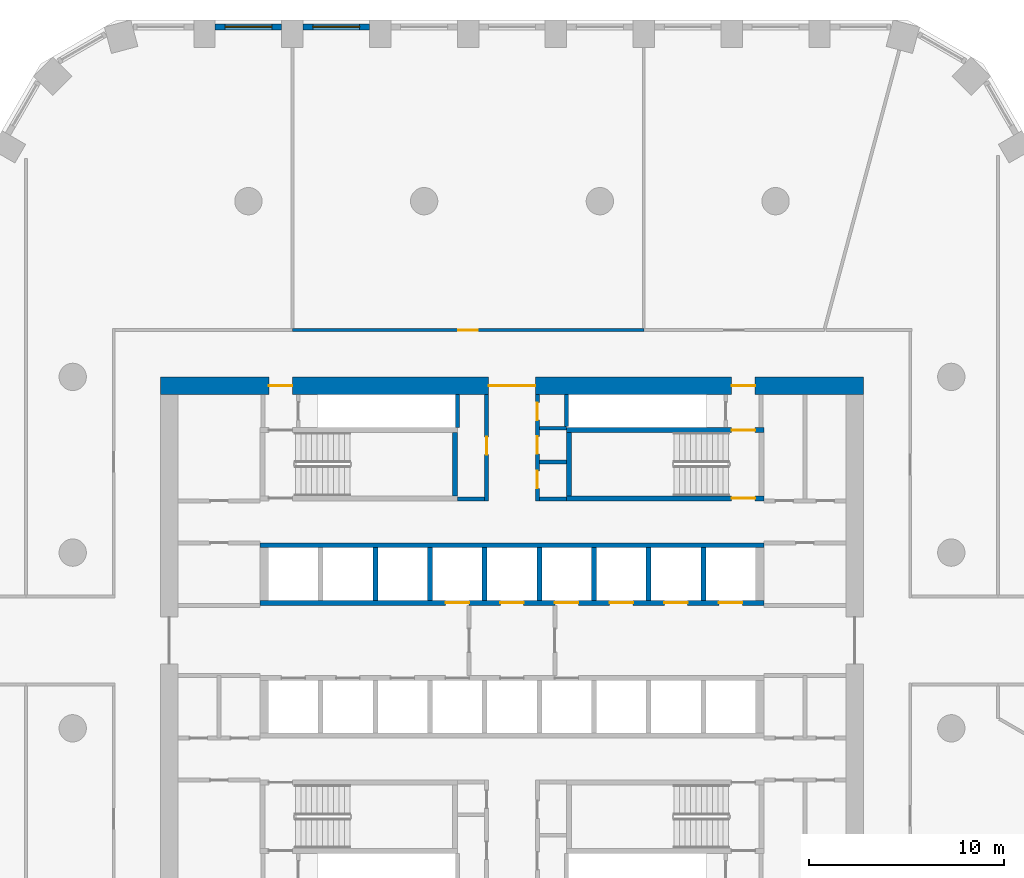
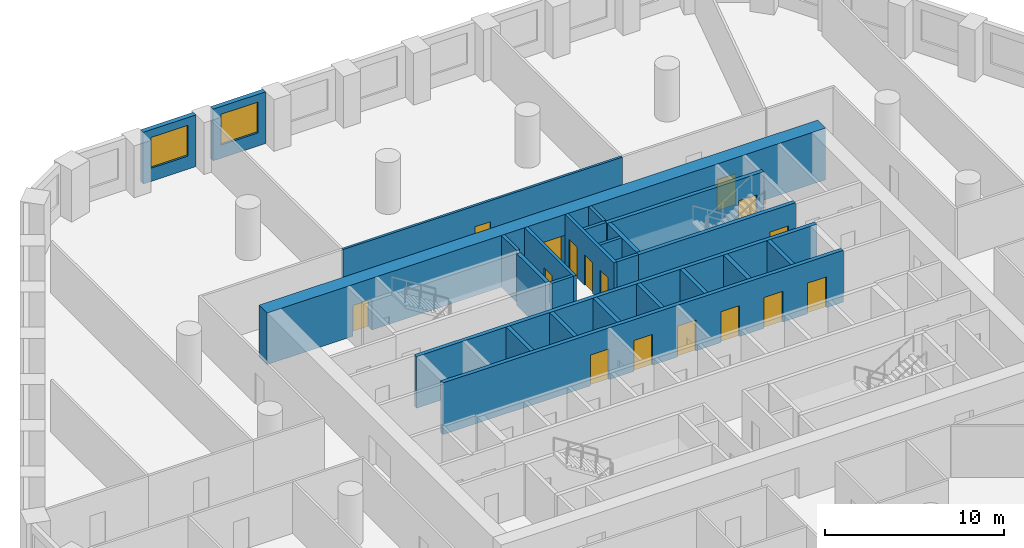
# One storey, part 6 of 10: 25 walls, 16 doors, 2 windows, 18 openings.
"""IFC4 building model written with IfcOpenShell, lengths in metres."""

from ifc_helpers import new_model, si_unit, direction, frame, frame_2d, origin, place, context, subcontext, project, spatial, polyline, rectangle, outline, extrude, material, layer, layer_set, type_object, element, fill, save


model = new_model("IFC4")

# Units and contexts
model_context = context("Model", 3, precision=1e-05, world=origin(), true_north=direction((0.0, 1.0)))
body_context = subcontext(model_context, "Body", "Model", "MODEL_VIEW")
ifc_project = project(units=[si_unit("LENGTHUNIT", "METRE"), si_unit("AREAUNIT", "SQUARE_METRE"), si_unit("VOLUMEUNIT", "CUBIC_METRE"), si_unit("PLANEANGLEUNIT", "RADIAN"), si_unit("MASSUNIT", "GRAM", prefix="KILO")], contexts=[model_context])

# Site, building, storey
site_placement = place(None, origin())
site = spatial("IfcSite", under=ifc_project, at=site_placement, CompositionType="ELEMENT")
building_placement = place(site_placement, origin())
building = spatial("IfcBuilding", under=site, at=building_placement, Name="Dhurran Vertical Campus", CompositionType="ELEMENT")
storey_placement = place(building_placement, frame((0.0, 0.0, 65.10009765625)))
storey = spatial("IfcBuildingStorey", under=building, at=storey_placement, Name="L15", CompositionType="ELEMENT", Elevation=65.10009765625)

# Wall, opening, window
ifc_material_1 = material(Name="Precast concrete C50/60", Category="concrete")
ifc_layer_1 = layer(ifc_material_1, 0.300048828125)
ifc_layer_set_1 = layer_set([ifc_layer_1], Name="Precast concrete C50/60")
wall_type_1 = type_object("IfcWallType", Name="Precast spandrel wall 300", PredefinedType="SOLIDWALL", material=ifc_layer_set_1)
wall_1_placement = place(storey_placement, frame((-7.300537109375, 31.4296875, 0.0), z_axis=(0.0, 0.0, 1.0), x_axis=(-1.0, 0.0, 0.0)))
wall_1 = element("IfcWall", 1, at=wall_1_placement, inside=storey, type_object=wall_type_1, Name="EW1 L15.32", PredefinedType="SOLIDWALL", context=body_context, shape_type="SweptSolid", body=[
    extrude(rectangle(XDim=3.39892578125, YDim=0.300048828125, at=frame_2d((1.699462890625, 0.0))), origin(), (0.0, 0.0, 1.0), 3.52490234375),
])
opening_1_placement = place(wall_1_placement, frame((0.49951171875, 0.0, 0.89990234375)))
opening_1 = element("IfcOpeningElement", 2, at=opening_1_placement, cuts=wall_1, Name="Opening WT1", PredefinedType="OPENING", context=body_context, shape_type="SweptSolid", body=[
    extrude(rectangle(XDim=2.39990234375, YDim=2.10009765625, at=frame_2d((1.199951171875, 1.050048828125))), frame((0.0, 0.159912109375, 0.0), z_axis=(0.0, -1.0, 0.0), x_axis=(1.0, 0.0, 0.0)), (0.0, 0.0, 1.0), 0.320068359375),
])
ifc_material_2 = material(Name="Aluminium frame with solar-control glass", Category="aluminium")
window_type = type_object("IfcWindowType", Name="Punched window 2400 x 2100", PartitioningType="SINGLE_PANEL", PredefinedType="WINDOW", material=ifc_material_2)
window_1_placement = place(opening_1_placement, origin())
window_1 = element("IfcWindow", 3, at=window_1_placement, inside=storey, type_object=window_type, Name="WT1 L15.32", OverallHeight=2.10009765625, OverallWidth=2.39990234375, PartitioningType="SINGLE_PANEL", PredefinedType="WINDOW", context=body_context, shape_type="SweptSolid", body=[
    extrude(rectangle(XDim=2.39990234375, YDim=2.10009765625, at=frame_2d((1.199951171875, 1.050048828125))), frame((0.0, 0.030029296875, 0.0), z_axis=(0.0, -1.0, 0.0), x_axis=(1.0, 0.0, 0.0)), (0.0, 0.0, 1.0), 0.06005859375),
])
fill(opening_1, window_1)

wall_2_placement = place(storey_placement, frame((-11.800537109375, 31.4296875, 0.0), z_axis=(0.0, 0.0, 1.0), x_axis=(-1.0, 0.0, 0.0)))
wall_2 = element("IfcWall", 4, at=wall_2_placement, inside=storey, type_object=wall_type_1, Name="EW1 L15.33", PredefinedType="SOLIDWALL", context=body_context, shape_type="SweptSolid", body=[
    extrude(rectangle(XDim=3.39892578125, YDim=0.300048828125, at=frame_2d((1.699462890625, 0.0))), origin(), (0.0, 0.0, 1.0), 3.52490234375),
])
opening_2_placement = place(wall_2_placement, frame((0.49951171875, 0.0, 0.89990234375)))
opening_2 = element("IfcOpeningElement", 5, at=opening_2_placement, cuts=wall_2, Name="Opening WT1", PredefinedType="OPENING", context=body_context, shape_type="SweptSolid", body=[
    extrude(rectangle(XDim=2.39990234375, YDim=2.10009765625, at=frame_2d((1.199951171875, 1.050048828125))), frame((0.0, 0.159912109375, 0.0), z_axis=(0.0, -1.0, 0.0), x_axis=(1.0, 0.0, 0.0)), (0.0, 0.0, 1.0), 0.320068359375),
])
window_2_placement = place(opening_2_placement, origin())
window_2 = element("IfcWindow", 6, at=window_2_placement, inside=storey, type_object=window_type, Name="WT1 L15.33", OverallHeight=2.10009765625, OverallWidth=2.39990234375, PartitioningType="SINGLE_PANEL", PredefinedType="WINDOW", context=body_context, shape_type="SweptSolid", body=[
    extrude(rectangle(XDim=2.39990234375, YDim=2.10009765625, at=frame_2d((1.199951171875, 1.050048828125))), frame((0.0, 0.030029296875, 0.0), z_axis=(0.0, -1.0, 0.0), x_axis=(1.0, 0.0, 0.0)), (0.0, 0.0, 1.0), 0.06005859375),
])
fill(opening_2, window_2)

# Wall, openings, doors
ifc_material_3 = material(Name="Concrete C60/75", Category="concrete")
ifc_layer_2 = layer(ifc_material_3, 0.89990234375)
ifc_layer_set_2 = layer_set([ifc_layer_2], Name="Concrete C60/75")
wall_type_2 = type_object("IfcWallType", Name="co-CORE-WALL-C0-900", PredefinedType="SHEAR", material=ifc_layer_set_2)
wall_3_placement = place(storey_placement, frame((-18.0, 13.050048828125, 0.0), z_axis=(0.0, 0.0, 1.0), x_axis=(1.0, 0.0, 0.0)))
wall_3 = element("IfcWall", 7, at=wall_3_placement, inside=storey, type_object=wall_type_2, Name="Core wall N L15", PredefinedType="SHEAR", context=body_context, shape_type="SweptSolid", body=[
    extrude(rectangle(XDim=36.0, YDim=0.89990234375, at=frame_2d((18.0, 0.0))), origin(), (0.0, 0.0, 1.0), 3.52490234375),
])
opening_3_placement = place(wall_3_placement, frame((16.800048828125, 0.0, 0.0)))
opening_3 = element("IfcOpeningElement", 8, at=opening_3_placement, cuts=wall_3, Name="Opening CV1", PredefinedType="OPENING", context=body_context, shape_type="SweptSolid", body=[
    extrude(rectangle(XDim=2.39990234375, YDim=2.10009765625, at=frame_2d((1.199951171875, 1.050048828125))), frame((0.0, 0.4599609375, 0.0), z_axis=(0.0, -1.0, 0.0), x_axis=(1.0, 0.0, 0.0)), (0.0, 0.0, 1.0), 0.919921875),
])
opening_4_placement = place(wall_3_placement, frame((5.550048828125, 0.0, 0.0)))
opening_4 = element("IfcOpeningElement", 9, at=opening_4_placement, cuts=wall_3, Name="Opening XD1", PredefinedType="OPENING", context=body_context, shape_type="SweptSolid", body=[
    extrude(rectangle(XDim=1.199951171875, YDim=2.10009765625, at=frame_2d((0.60009765625, 1.050048828125))), frame((0.0, 0.4599609375, 0.0), z_axis=(0.0, -1.0, 0.0), x_axis=(1.0, 0.0, 0.0)), (0.0, 0.0, 1.0), 0.919921875),
])
opening_5_placement = place(wall_3_placement, frame((29.25, 0.0, 0.0)))
opening_5 = element("IfcOpeningElement", 10, at=opening_5_placement, cuts=wall_3, Name="Opening XD2", PredefinedType="OPENING", context=body_context, shape_type="SweptSolid", body=[
    extrude(rectangle(XDim=1.199951171875, YDim=2.10009765625, at=frame_2d((0.60009765625, 1.050048828125))), frame((0.0, 0.4599609375, 0.0), z_axis=(0.0, -1.0, 0.0), x_axis=(1.0, 0.0, 0.0)), (0.0, 0.0, 1.0), 0.919921875),
])
ifc_material_4 = material(Name="Fire-rated glazed door set")
door_type_1 = type_object("IfcDoorType", Name="co-D-LOBBY 2400x2100", OperationType="DOUBLE_DOOR_DOUBLE_SWING", PredefinedType="DOOR", material=ifc_material_4)
door_1_placement = place(opening_3_placement, origin())
door_1 = element("IfcDoor", 11, at=door_1_placement, inside=storey, type_object=door_type_1, Name="Core vestibule door N L15", OperationType="DOUBLE_DOOR_DOUBLE_SWING", OverallHeight=2.10009765625, OverallWidth=2.39990234375, PredefinedType="DOOR", context=body_context, shape_type="SweptSolid", body=[
    extrude(rectangle(XDim=2.39990234375, YDim=2.10009765625, at=frame_2d((1.199951171875, 1.050048828125))), frame((0.0, 0.02490234375, 0.0), z_axis=(0.0, -1.0, 0.0), x_axis=(1.0, 0.0, 0.0)), (0.0, 0.0, 1.0), 0.050048828125),
])
fill(opening_3, door_1)
ifc_material_5 = material(Name="Fire-rated steel door set", Category="steel")
door_type_2 = type_object("IfcDoorType", Name="co-D-STAIR-EXIT 1200x2100", OperationType="SINGLE_SWING_RIGHT", PredefinedType="DOOR", material=ifc_material_5)
door_2_placement = place(opening_4_placement, origin())
door_2 = element("IfcDoor", 12, at=door_2_placement, inside=storey, type_object=door_type_2, Name="Stair ST1 exit door L15", OperationType="SINGLE_SWING_RIGHT", OverallHeight=2.10009765625, OverallWidth=1.199951171875, PredefinedType="DOOR", context=body_context, shape_type="SweptSolid", body=[
    extrude(rectangle(XDim=1.199951171875, YDim=2.10009765625, at=frame_2d((0.60009765625, 1.050048828125))), frame((0.0, 0.02490234375, 0.0), z_axis=(0.0, -1.0, 0.0), x_axis=(1.0, 0.0, 0.0)), (0.0, 0.0, 1.0), 0.050048828125),
])
fill(opening_4, door_2)
door_3_placement = place(opening_5_placement, origin())
door_3 = element("IfcDoor", 13, at=door_3_placement, inside=storey, type_object=door_type_2, Name="Stair ST2 exit door L15", OperationType="SINGLE_SWING_RIGHT", OverallHeight=2.10009765625, OverallWidth=1.199951171875, PredefinedType="DOOR", context=body_context, shape_type="SweptSolid", body=[
    extrude(rectangle(XDim=1.199951171875, YDim=2.10009765625, at=frame_2d((0.60009765625, 1.050048828125))), frame((0.0, 0.02490234375, 0.0), z_axis=(0.0, -1.0, 0.0), x_axis=(1.0, 0.0, 0.0)), (0.0, 0.0, 1.0), 0.050048828125),
])
fill(opening_5, door_3)

# Walls
ifc_material_6 = material(Name="Fire-rated masonry blockwork", Category="masonry")
ifc_layer_3 = layer(ifc_material_6, 0.199951171875)
ifc_layer_set_3 = layer_set([ifc_layer_3], Name="Fire-rated masonry blockwork")
wall_type_3 = type_object("IfcWallType", Name="co-FIRE-PARTITION-200", PredefinedType="PARTITIONING", material=ifc_layer_set_3)
for number, where, z_axis, x_axis, name in (
    (14, (-2.800048828125, 7.25, 0.0), (0.0, 0.0, 1.0), (1.0, 0.0, 0.0), "Core partition sl-NW-S L15"),
    (15, (1.39990234375, 7.25, 0.0), (0.0, 0.0, 1.0), (1.0, 0.0, 0.0), "Core partition sl-NE-S L15"),
    (16, (1.39990234375, 9.135009765625, 0.0), (0.0, 0.0, 1.0), (1.0, 0.0, 0.0), "Core partition sl-NE-cut0 L15"),
    (17, (1.39990234375, 10.867431640625, 0.0), (0.0, 0.0, 1.0), (1.0, 0.0, 0.0), "Core partition sl-NE-cut1 L15"),
):
    element("IfcWall", number, at=place(storey_placement, frame(where, z_axis=z_axis, x_axis=x_axis)), inside=storey, type_object=wall_type_3, Name=name, PredefinedType="PARTITIONING", context=body_context, shape_type="SweptSolid", body=[
        extrude(rectangle(XDim=1.400146484375, YDim=0.199951171875, at=frame_2d((0.7001953125, 0.0))), origin(), (0.0, 0.0, 1.0), 3.52490234375),
    ])

# Wall, opening, door
wall_4_placement = place(storey_placement, frame((-1.300048828125, 7.14990234375, 0.0), z_axis=(0.0, 0.0, 1.0), x_axis=(0.0, 1.0, 0.0)))
wall_4 = element("IfcWall", 18, at=wall_4_placement, inside=storey, type_object=wall_type_3, Name="Core partition vest-NW L15", PredefinedType="PARTITIONING", context=body_context, shape_type="SweptSolid", body=[
    extrude(rectangle(XDim=5.4501953125, YDim=0.199951171875, at=frame_2d((2.72509765625, 0.0))), origin(), (0.0, 0.0, 1.0), 3.52490234375),
])
opening_6_placement = place(wall_4_placement, frame((2.375, 0.0, 0.0)))
opening_6 = element("IfcOpeningElement", 19, at=opening_6_placement, cuts=wall_4, Name="Opening T04-C5", PredefinedType="OPENING", context=body_context, shape_type="SweptSolid", body=[
    extrude(rectangle(XDim=0.89990234375, YDim=2.10009765625, at=frame_2d((0.449951171875, 1.050048828125))), frame((0.0, 0.10986328125, 0.0), z_axis=(0.0, -1.0, 0.0), x_axis=(1.0, 0.0, 0.0)), (0.0, 0.0, 1.0), 0.219970703125),
])
ifc_material_7 = material(Name="Fire-rated timber door set", Category="wood")
door_type_3 = type_object("IfcDoorType", Name="co-D-ROOM 900x2100", OperationType="SINGLE_SWING_LEFT", PredefinedType="DOOR", material=ifc_material_7)
door_4_placement = place(opening_6_placement, origin())
door_4 = element("IfcDoor", 20, at=door_4_placement, inside=storey, type_object=door_type_3, Name="Plant room door L15", OperationType="SINGLE_SWING_LEFT", OverallHeight=2.10009765625, OverallWidth=0.89990234375, PredefinedType="DOOR", context=body_context, shape_type="SweptSolid", body=[
    extrude(rectangle(XDim=0.89990234375, YDim=2.10009765625, at=frame_2d((0.449951171875, 1.050048828125))), frame((0.0, 0.02490234375, 0.0), z_axis=(0.0, -1.0, 0.0), x_axis=(1.0, 0.0, 0.0)), (0.0, 0.0, 1.0), 0.050048828125),
])
fill(opening_6, door_4)

# Wall, openings, doors
wall_5_placement = place(storey_placement, frame((1.300048828125, 7.14990234375, 0.0), z_axis=(0.0, 0.0, 1.0), x_axis=(0.0, 1.0, 0.0)))
wall_5 = element("IfcWall", 21, at=wall_5_placement, inside=storey, type_object=wall_type_3, Name="Core partition vest-NE L15", PredefinedType="PARTITIONING", context=body_context, shape_type="SweptSolid", body=[
    extrude(rectangle(XDim=5.4501953125, YDim=0.199951171875, at=frame_2d((2.72509765625, 0.0))), origin(), (0.0, 0.0, 1.0), 3.52490234375),
])
opening_7_placement = place(wall_5_placement, frame((0.642578125, 0.0, 0.0)))
opening_7 = element("IfcOpeningElement", 22, at=opening_7_placement, cuts=wall_5, Name="Opening T04-C6", PredefinedType="OPENING", context=body_context, shape_type="SweptSolid", body=[
    extrude(rectangle(XDim=0.89990234375, YDim=2.10009765625, at=frame_2d((0.449951171875, 1.050048828125))), frame((0.0, 0.10986328125, 0.0), z_axis=(0.0, -1.0, 0.0), x_axis=(1.0, 0.0, 0.0)), (0.0, 0.0, 1.0), 0.219970703125),
])
opening_8_placement = place(wall_5_placement, frame((2.401123046875, 0.0, 0.0)))
opening_8 = element("IfcOpeningElement", 23, at=opening_8_placement, cuts=wall_5, Name="Opening T04-C7", PredefinedType="OPENING", context=body_context, shape_type="SweptSolid", body=[
    extrude(rectangle(XDim=0.89990234375, YDim=2.10009765625, at=frame_2d((0.449951171875, 1.050048828125))), frame((0.0, 0.10986328125, 0.0), z_axis=(0.0, -1.0, 0.0), x_axis=(1.0, 0.0, 0.0)), (0.0, 0.0, 1.0), 0.219970703125),
])
opening_9_placement = place(wall_5_placement, frame((4.1337890625, 0.0, 0.0)))
opening_9 = element("IfcOpeningElement", 24, at=opening_9_placement, cuts=wall_5, Name="Opening T04-C8", PredefinedType="OPENING", context=body_context, shape_type="SweptSolid", body=[
    extrude(rectangle(XDim=0.89990234375, YDim=2.10009765625, at=frame_2d((0.449951171875, 1.050048828125))), frame((0.0, 0.10986328125, 0.0), z_axis=(0.0, -1.0, 0.0), x_axis=(1.0, 0.0, 0.0)), (0.0, 0.0, 1.0), 0.219970703125),
])
door_5_placement = place(opening_7_placement, origin())
door_5 = element("IfcDoor", 25, at=door_5_placement, inside=storey, type_object=door_type_3, Name="Water riser door L15", OperationType="SINGLE_SWING_LEFT", OverallHeight=2.10009765625, OverallWidth=0.89990234375, PredefinedType="DOOR", context=body_context, shape_type="SweptSolid", body=[
    extrude(rectangle(XDim=0.89990234375, YDim=2.10009765625, at=frame_2d((0.449951171875, 1.050048828125))), frame((0.0, 0.02490234375, 0.0), z_axis=(0.0, -1.0, 0.0), x_axis=(1.0, 0.0, 0.0)), (0.0, 0.0, 1.0), 0.050048828125),
])
fill(opening_7, door_5)
door_6_placement = place(opening_8_placement, origin())
door_6 = element("IfcDoor", 26, at=door_6_placement, inside=storey, type_object=door_type_3, Name="Waste room door L15", OperationType="SINGLE_SWING_LEFT", OverallHeight=2.10009765625, OverallWidth=0.89990234375, PredefinedType="DOOR", context=body_context, shape_type="SweptSolid", body=[
    extrude(rectangle(XDim=0.89990234375, YDim=2.10009765625, at=frame_2d((0.449951171875, 1.050048828125))), frame((0.0, 0.02490234375, 0.0), z_axis=(0.0, -1.0, 0.0), x_axis=(1.0, 0.0, 0.0)), (0.0, 0.0, 1.0), 0.050048828125),
])
fill(opening_8, door_6)
door_7_placement = place(opening_9_placement, origin())
door_7 = element("IfcDoor", 27, at=door_7_placement, inside=storey, type_object=door_type_3, Name="Electrical riser door L15", OperationType="SINGLE_SWING_LEFT", OverallHeight=2.10009765625, OverallWidth=0.89990234375, PredefinedType="DOOR", context=body_context, shape_type="SweptSolid", body=[
    extrude(rectangle(XDim=0.89990234375, YDim=2.10009765625, at=frame_2d((0.449951171875, 1.050048828125))), frame((0.0, 0.02490234375, 0.0), z_axis=(0.0, -1.0, 0.0), x_axis=(1.0, 0.0, 0.0)), (0.0, 0.0, 1.0), 0.050048828125),
])
fill(opening_9, door_7)

# Walls
wall_6_placement = place(storey_placement, frame((-2.800048828125, 10.90087890625, 0.0), z_axis=(0.0, 0.0, 1.0), x_axis=(0.0, 1.0, 0.0)))
element("IfcWall", 28, at=wall_6_placement, inside=storey, type_object=wall_type_3, Name="Riser enclosure wall L15", PredefinedType="PARTITIONING", context=body_context, shape_type="SweptSolid", body=[
    extrude(rectangle(XDim=1.6982421875, YDim=0.199951171875, at=frame_2d((0.84912109375, 0.0))), origin(), (0.0, 0.0, 1.0), 3.52490234375),
])
wall_7_placement = place(storey_placement, frame((2.800048828125, 10.968505859375, 0.0), z_axis=(0.0, 0.0, 1.0), x_axis=(0.0, 1.0, 0.0)))
element("IfcWall", 29, at=wall_7_placement, inside=storey, type_object=wall_type_3, Name="Riser enclosure wall L15", PredefinedType="PARTITIONING", context=body_context, shape_type="SweptSolid", body=[
    extrude(rectangle(XDim=1.630615234375, YDim=0.199951171875, at=frame_2d((0.8154296875, 0.0))), origin(), (0.0, 0.0, 1.0), 3.52490234375),
])

# Wall, openings, doors
ifc_material_8 = material(Name="Concrete C50/60", Category="concrete")
ifc_layer_4 = layer(ifc_material_8, 0.25)
ifc_layer_set_4 = layer_set([ifc_layer_4], Name="Concrete C50/60")
wall_type_4 = type_object("IfcWallType", Name="co-SHAFT-FRONT-250", PredefinedType="SHEAR", material=ifc_layer_set_4)
wall_8_placement = place(storey_placement, frame((-12.89990234375, 1.925048828125, 0.0), z_axis=(0.0, 0.0, 1.0), x_axis=(1.0, 0.0, 0.0)))
wall_8 = element("IfcWall", 30, at=wall_8_placement, inside=storey, type_object=wall_type_4, Name="Lift landing wall N L15", PredefinedType="SHEAR", context=body_context, shape_type="SweptSolid", body=[
    extrude(rectangle(XDim=25.7998046875, YDim=0.25, at=frame_2d((12.89990234375, 0.0))), origin(), (0.0, 0.0, 1.0), 3.52490234375),
])
opening_10_placement = place(wall_8_placement, frame((9.5, 0.0, 0.0)))
opening_10 = element("IfcOpeningElement", 31, at=opening_10_placement, cuts=wall_8, Name="Opening LD", PredefinedType="OPENING", context=body_context, shape_type="SweptSolid", body=[
    extrude(rectangle(XDim=1.199951171875, YDim=2.10009765625, at=frame_2d((0.60009765625, 1.050048828125))), frame((0.0, 0.135009765625, 0.0), z_axis=(0.0, -1.0, 0.0), x_axis=(1.0, 0.0, 0.0)), (0.0, 0.0, 1.0), 0.27001953125),
])
opening_11_placement = place(wall_8_placement, frame((12.300048828125, 0.0, 0.0)))
opening_11 = element("IfcOpeningElement", 32, at=opening_11_placement, cuts=wall_8, Name="Opening LD", PredefinedType="OPENING", context=body_context, shape_type="SweptSolid", body=[
    extrude(rectangle(XDim=1.199951171875, YDim=2.10009765625, at=frame_2d((0.60009765625, 1.050048828125))), frame((0.0, 0.135009765625, 0.0), z_axis=(0.0, -1.0, 0.0), x_axis=(1.0, 0.0, 0.0)), (0.0, 0.0, 1.0), 0.27001953125),
])
opening_12_placement = place(wall_8_placement, frame((15.10009765625, 0.0, 0.0)))
opening_12 = element("IfcOpeningElement", 33, at=opening_12_placement, cuts=wall_8, Name="Opening LD", PredefinedType="OPENING", context=body_context, shape_type="SweptSolid", body=[
    extrude(rectangle(XDim=1.199951171875, YDim=2.10009765625, at=frame_2d((0.60009765625, 1.050048828125))), frame((0.0, 0.135009765625, 0.0), z_axis=(0.0, -1.0, 0.0), x_axis=(1.0, 0.0, 0.0)), (0.0, 0.0, 1.0), 0.27001953125),
])
opening_13_placement = place(wall_8_placement, frame((17.89990234375, 0.0, 0.0)))
opening_13 = element("IfcOpeningElement", 34, at=opening_13_placement, cuts=wall_8, Name="Opening LD", PredefinedType="OPENING", context=body_context, shape_type="SweptSolid", body=[
    extrude(rectangle(XDim=1.199951171875, YDim=2.10009765625, at=frame_2d((0.60009765625, 1.050048828125))), frame((0.0, 0.135009765625, 0.0), z_axis=(0.0, -1.0, 0.0), x_axis=(1.0, 0.0, 0.0)), (0.0, 0.0, 1.0), 0.27001953125),
])
opening_14_placement = place(wall_8_placement, frame((20.699951171875, 0.0, 0.0)))
opening_14 = element("IfcOpeningElement", 35, at=opening_14_placement, cuts=wall_8, Name="Opening LD", PredefinedType="OPENING", context=body_context, shape_type="SweptSolid", body=[
    extrude(rectangle(XDim=1.199951171875, YDim=2.10009765625, at=frame_2d((0.60009765625, 1.050048828125))), frame((0.0, 0.135009765625, 0.0), z_axis=(0.0, -1.0, 0.0), x_axis=(1.0, 0.0, 0.0)), (0.0, 0.0, 1.0), 0.27001953125),
])
opening_15_placement = place(wall_8_placement, frame((23.5, 0.0, 0.0)))
opening_15 = element("IfcOpeningElement", 36, at=opening_15_placement, cuts=wall_8, Name="Opening LD", PredefinedType="OPENING", context=body_context, shape_type="SweptSolid", body=[
    extrude(rectangle(XDim=1.199951171875, YDim=2.10009765625, at=frame_2d((0.60009765625, 1.050048828125))), frame((0.0, 0.135009765625, 0.0), z_axis=(0.0, -1.0, 0.0), x_axis=(1.0, 0.0, 0.0)), (0.0, 0.0, 1.0), 0.27001953125),
])
ifc_material_9 = material(Name="Stainless steel landing door", Category="steel")
door_type_4 = type_object("IfcDoorType", Name="co-D-LANDING 1200x2100", OperationType="DOUBLE_DOOR_SLIDING", PredefinedType="DOOR", material=ifc_material_9)
door_8_placement = place(opening_10_placement, origin())
door_8 = element("IfcDoor", 37, at=door_8_placement, inside=storey, type_object=door_type_4, Name="Landing door LR1 L15", OperationType="DOUBLE_DOOR_SLIDING", OverallHeight=2.10009765625, OverallWidth=1.199951171875, PredefinedType="DOOR", context=body_context, shape_type="SweptSolid", body=[
    extrude(rectangle(XDim=1.199951171875, YDim=2.10009765625, at=frame_2d((0.60009765625, 1.050048828125))), frame((0.0, 0.02490234375, 0.0), z_axis=(0.0, -1.0, 0.0), x_axis=(1.0, 0.0, 0.0)), (0.0, 0.0, 1.0), 0.050048828125),
])
fill(opening_10, door_8)
door_9_placement = place(opening_11_placement, origin())
door_9 = element("IfcDoor", 38, at=door_9_placement, inside=storey, type_object=door_type_4, Name="Landing door FF1 L15", OperationType="DOUBLE_DOOR_SLIDING", OverallHeight=2.10009765625, OverallWidth=1.199951171875, PredefinedType="DOOR", context=body_context, shape_type="SweptSolid", body=[
    extrude(rectangle(XDim=1.199951171875, YDim=2.10009765625, at=frame_2d((0.60009765625, 1.050048828125))), frame((0.0, 0.02490234375, 0.0), z_axis=(0.0, -1.0, 0.0), x_axis=(1.0, 0.0, 0.0)), (0.0, 0.0, 1.0), 0.050048828125),
])
fill(opening_11, door_9)
door_10_placement = place(opening_12_placement, origin())
door_10 = element("IfcDoor", 39, at=door_10_placement, inside=storey, type_object=door_type_4, Name="Landing door LR2 L15", OperationType="DOUBLE_DOOR_SLIDING", OverallHeight=2.10009765625, OverallWidth=1.199951171875, PredefinedType="DOOR", context=body_context, shape_type="SweptSolid", body=[
    extrude(rectangle(XDim=1.199951171875, YDim=2.10009765625, at=frame_2d((0.60009765625, 1.050048828125))), frame((0.0, 0.02490234375, 0.0), z_axis=(0.0, -1.0, 0.0), x_axis=(1.0, 0.0, 0.0)), (0.0, 0.0, 1.0), 0.050048828125),
])
fill(opening_12, door_10)
door_11_placement = place(opening_13_placement, origin())
door_11 = element("IfcDoor", 40, at=door_11_placement, inside=storey, type_object=door_type_4, Name="Landing door LR3 L15", OperationType="DOUBLE_DOOR_SLIDING", OverallHeight=2.10009765625, OverallWidth=1.199951171875, PredefinedType="DOOR", context=body_context, shape_type="SweptSolid", body=[
    extrude(rectangle(XDim=1.199951171875, YDim=2.10009765625, at=frame_2d((0.60009765625, 1.050048828125))), frame((0.0, 0.02490234375, 0.0), z_axis=(0.0, -1.0, 0.0), x_axis=(1.0, 0.0, 0.0)), (0.0, 0.0, 1.0), 0.050048828125),
])
fill(opening_13, door_11)
door_12_placement = place(opening_14_placement, origin())
door_12 = element("IfcDoor", 41, at=door_12_placement, inside=storey, type_object=door_type_4, Name="Landing door LR4 L15", OperationType="DOUBLE_DOOR_SLIDING", OverallHeight=2.10009765625, OverallWidth=1.199951171875, PredefinedType="DOOR", context=body_context, shape_type="SweptSolid", body=[
    extrude(rectangle(XDim=1.199951171875, YDim=2.10009765625, at=frame_2d((0.60009765625, 1.050048828125))), frame((0.0, 0.02490234375, 0.0), z_axis=(0.0, -1.0, 0.0), x_axis=(1.0, 0.0, 0.0)), (0.0, 0.0, 1.0), 0.050048828125),
])
fill(opening_14, door_12)
door_13_placement = place(opening_15_placement, origin())
door_13 = element("IfcDoor", 42, at=door_13_placement, inside=storey, type_object=door_type_4, Name="Landing door SV2 L15", OperationType="DOUBLE_DOOR_SLIDING", OverallHeight=2.10009765625, OverallWidth=1.199951171875, PredefinedType="DOOR", context=body_context, shape_type="SweptSolid", body=[
    extrude(rectangle(XDim=1.199951171875, YDim=2.10009765625, at=frame_2d((0.60009765625, 1.050048828125))), frame((0.0, 0.02490234375, 0.0), z_axis=(0.0, -1.0, 0.0), x_axis=(1.0, 0.0, 0.0)), (0.0, 0.0, 1.0), 0.050048828125),
])
fill(opening_15, door_13)

# Walls
ifc_material_10 = material(Name="Concrete C50/60", Category="concrete")
ifc_layer_5 = layer(ifc_material_10, 0.25)
ifc_layer_set_5 = layer_set([ifc_layer_5], Name="Concrete C50/60")
wall_type_5 = type_object("IfcWallType", Name="co-SHAFT-MASS-250", PredefinedType="SHEAR", material=ifc_layer_set_5)
wall_9_placement = place(storey_placement, origin())
element("IfcWall", 43, at=wall_9_placement, inside=storey, type_object=wall_type_5, Name="Lift shaft wall N L15 1", PredefinedType="SHEAR", context=body_context, shape_type="SweptSolid", body=[
    extrude(outline(polyline([(-12.89990234375, 4.75), (12.89990234375, 4.75), (12.89990234375, 5.0), (-12.89990234375, 5.0), (-12.89990234375, 4.75)])), origin(), (0.0, 0.0, 1.0), 3.52490234375),
])
wall_10_placement = place(storey_placement, origin())
element("IfcWall", 44, at=wall_10_placement, inside=storey, type_object=wall_type_5, Name="Lift shaft wall N L15 4", PredefinedType="SHEAR", context=body_context, shape_type="SweptSolid", body=[
    extrude(outline(polyline([(-7.125, 2.050048828125), (-6.875, 2.050048828125), (-6.875, 4.75), (-7.125, 4.75), (-7.125, 2.050048828125)])), origin(), (0.0, 0.0, 1.0), 3.52490234375),
])
wall_11_placement = place(storey_placement, origin())
element("IfcWall", 45, at=wall_11_placement, inside=storey, type_object=wall_type_5, Name="Lift shaft wall N L15 5", PredefinedType="SHEAR", context=body_context, shape_type="SweptSolid", body=[
    extrude(outline(polyline([(-4.324951171875, 2.050048828125), (-4.074951171875, 2.050048828125), (-4.074951171875, 4.75), (-4.324951171875, 4.75), (-4.324951171875, 2.050048828125)])), origin(), (0.0, 0.0, 1.0), 3.52490234375),
])
wall_12_placement = place(storey_placement, origin())
element("IfcWall", 46, at=wall_12_placement, inside=storey, type_object=wall_type_5, Name="Lift shaft wall N L15 6", PredefinedType="SHEAR", context=body_context, shape_type="SweptSolid", body=[
    extrude(outline(polyline([(-1.52490234375, 2.050048828125), (-1.27490234375, 2.050048828125), (-1.27490234375, 4.75), (-1.52490234375, 4.75), (-1.52490234375, 2.050048828125)])), origin(), (0.0, 0.0, 1.0), 3.52490234375),
])
wall_13_placement = place(storey_placement, origin())
element("IfcWall", 47, at=wall_13_placement, inside=storey, type_object=wall_type_5, Name="Lift shaft wall N L15 7", PredefinedType="SHEAR", context=body_context, shape_type="SweptSolid", body=[
    extrude(outline(polyline([(1.27490234375, 2.050048828125), (1.52490234375, 2.050048828125), (1.52490234375, 4.75), (1.27490234375, 4.75), (1.27490234375, 2.050048828125)])), origin(), (0.0, 0.0, 1.0), 3.52490234375),
])
wall_14_placement = place(storey_placement, origin())
element("IfcWall", 48, at=wall_14_placement, inside=storey, type_object=wall_type_5, Name="Lift shaft wall N L15 8", PredefinedType="SHEAR", context=body_context, shape_type="SweptSolid", body=[
    extrude(outline(polyline([(4.074951171875, 2.050048828125), (4.324951171875, 2.050048828125), (4.324951171875, 4.75), (4.074951171875, 4.75), (4.074951171875, 2.050048828125)])), origin(), (0.0, 0.0, 1.0), 3.52490234375),
])
wall_15_placement = place(storey_placement, origin())
element("IfcWall", 49, at=wall_15_placement, inside=storey, type_object=wall_type_5, Name="Lift shaft wall N L15 9", PredefinedType="SHEAR", context=body_context, shape_type="SweptSolid", body=[
    extrude(outline(polyline([(6.875, 2.050048828125), (7.125, 2.050048828125), (7.125, 4.75), (6.875, 4.75), (6.875, 2.050048828125)])), origin(), (0.0, 0.0, 1.0), 3.52490234375),
])
wall_16_placement = place(storey_placement, origin())
element("IfcWall", 50, at=wall_16_placement, inside=storey, type_object=wall_type_5, Name="Lift shaft wall N L15 10", PredefinedType="SHEAR", context=body_context, shape_type="SweptSolid", body=[
    extrude(outline(polyline([(9.675048828125, 2.050048828125), (9.925048828125, 2.050048828125), (9.925048828125, 4.75), (9.675048828125, 4.75), (9.675048828125, 2.050048828125)])), origin(), (0.0, 0.0, 1.0), 3.52490234375),
])
ifc_material_11 = material(Name="Concrete C40/50", Category="concrete")
ifc_layer_6 = layer(ifc_material_11, 0.25)
ifc_layer_set_6 = layer_set([ifc_layer_6], Name="Concrete C40/50")
wall_type_6 = type_object("IfcWallType", Name="co-STAIR-WALL-250", PredefinedType="SHEAR", material=ifc_layer_set_6)
wall_17_placement = place(storey_placement, frame((-2.925048828125, 7.39990234375, 0.0), z_axis=(0.0, 0.0, 1.0), x_axis=(0.0, 1.0, 0.0)))
element("IfcWall", 51, at=wall_17_placement, inside=storey, type_object=wall_type_6, Name="Stair ST1 enclosure wall L15", PredefinedType="SHEAR", context=body_context, shape_type="SweptSolid", body=[
    extrude(rectangle(XDim=3.25, YDim=0.25, at=frame_2d((1.625, 0.0))), origin(), (0.0, 0.0, 1.0), 3.52490234375),
])

# Wall, opening, door
wall_18_placement = place(storey_placement, frame((2.800048828125, 7.27490234375, 0.0), z_axis=(0.0, 0.0, 1.0), x_axis=(1.0, 0.0, 0.0)))
wall_18 = element("IfcWall", 52, at=wall_18_placement, inside=storey, type_object=wall_type_6, Name="Stair ST2 enclosure wall L15", PredefinedType="SHEAR", context=body_context, shape_type="SweptSolid", body=[
    extrude(rectangle(XDim=10.099853515625, YDim=0.25, at=frame_2d((5.0498046875, 0.0))), origin(), (0.0, 0.0, 1.0), 3.52490234375),
])
opening_16_placement = place(wall_18_placement, frame((8.449951171875, 0.0, 0.0)))
opening_16 = element("IfcOpeningElement", 53, at=opening_16_placement, cuts=wall_18, Name="Opening SD2", PredefinedType="OPENING", context=body_context, shape_type="SweptSolid", body=[
    extrude(rectangle(XDim=1.199951171875, YDim=2.10009765625, at=frame_2d((0.60009765625, 1.050048828125))), frame((0.0, 0.135009765625, 0.0), z_axis=(0.0, -1.0, 0.0), x_axis=(1.0, 0.0, 0.0)), (0.0, 0.0, 1.0), 0.27001953125),
])
ifc_material_12 = material(Name="Fire-rated steel door set", Category="steel")
door_type_5 = type_object("IfcDoorType", Name="co-D-STAIR 1200x2100", OperationType="SINGLE_SWING_LEFT", PredefinedType="DOOR", material=ifc_material_12)
door_14_placement = place(opening_16_placement, origin())
door_14 = element("IfcDoor", 54, at=door_14_placement, inside=storey, type_object=door_type_5, Name="Stair ST2 door L15", OperationType="SINGLE_SWING_LEFT", OverallHeight=2.10009765625, OverallWidth=1.199951171875, PredefinedType="DOOR", context=body_context, shape_type="SweptSolid", body=[
    extrude(rectangle(XDim=1.199951171875, YDim=2.10009765625, at=frame_2d((0.60009765625, 1.050048828125))), frame((0.0, 0.02490234375, 0.0), z_axis=(0.0, -1.0, 0.0), x_axis=(1.0, 0.0, 0.0)), (0.0, 0.0, 1.0), 0.050048828125),
])
fill(opening_16, door_14)

wall_19_placement = place(storey_placement, frame((2.800048828125, 10.77490234375, 0.0), z_axis=(0.0, 0.0, 1.0), x_axis=(1.0, 0.0, 0.0)))
wall_19 = element("IfcWall", 55, at=wall_19_placement, inside=storey, type_object=wall_type_6, Name="Stair ST2 enclosure wall L15", PredefinedType="SHEAR", context=body_context, shape_type="SweptSolid", body=[
    extrude(rectangle(XDim=10.099853515625, YDim=0.25, at=frame_2d((5.0498046875, 0.0))), origin(), (0.0, 0.0, 1.0), 3.52490234375),
])
opening_17_placement = place(wall_19_placement, frame((8.449951171875, 0.0, 0.0)))
opening_17 = element("IfcOpeningElement", 56, at=opening_17_placement, cuts=wall_19, Name="Opening XS2", PredefinedType="OPENING", context=body_context, shape_type="SweptSolid", body=[
    extrude(rectangle(XDim=1.199951171875, YDim=2.10009765625, at=frame_2d((0.60009765625, 1.050048828125))), frame((0.0, 0.135009765625, 0.0), z_axis=(0.0, -1.0, 0.0), x_axis=(1.0, 0.0, 0.0)), (0.0, 0.0, 1.0), 0.27001953125),
])
door_15_placement = place(opening_17_placement, origin())
door_15 = element("IfcDoor", 57, at=door_15_placement, inside=storey, type_object=door_type_2, Name="Stair ST2 discharge door L15", OperationType="SINGLE_SWING_RIGHT", OverallHeight=2.10009765625, OverallWidth=1.199951171875, PredefinedType="DOOR", context=body_context, shape_type="SweptSolid", body=[
    extrude(rectangle(XDim=1.199951171875, YDim=2.10009765625, at=frame_2d((0.60009765625, 1.050048828125))), frame((0.0, 0.02490234375, 0.0), z_axis=(0.0, -1.0, 0.0), x_axis=(1.0, 0.0, 0.0)), (0.0, 0.0, 1.0), 0.050048828125),
])
fill(opening_17, door_15)

# Wall
wall_20_placement = place(storey_placement, frame((2.925048828125, 7.39990234375, 0.0), z_axis=(0.0, 0.0, 1.0), x_axis=(0.0, 1.0, 0.0)))
element("IfcWall", 58, at=wall_20_placement, inside=storey, type_object=wall_type_6, Name="Stair ST2 enclosure wall L15", PredefinedType="SHEAR", context=body_context, shape_type="SweptSolid", body=[
    extrude(rectangle(XDim=3.25, YDim=0.25, at=frame_2d((1.625, 0.0))), origin(), (0.0, 0.0, 1.0), 3.52490234375),
])

# Wall, opening, door
ifc_material_13 = material(Name="Gypsum board corridor wall on steel studs", Category="steel")
ifc_layer_7 = layer(ifc_material_13, 0.14990234375)
ifc_layer_set_7 = layer_set([ifc_layer_7], Name="Gypsum board corridor wall on steel studs")
wall_type_7 = type_object("IfcWallType", Name="fl-CW-150 corridor wall", PredefinedType="PARTITIONING", material=ifc_layer_set_7)
wall_21_placement = place(storey_placement, frame((6.75, 15.89990234375, 0.0), z_axis=(0.0, 0.0, 1.0), x_axis=(-1.0, 0.0, 0.0)))
wall_21 = element("IfcWall", 59, at=wall_21_placement, inside=storey, type_object=wall_type_7, Name="Partition 15-18", PredefinedType="PARTITIONING", context=body_context, shape_type="SweptSolid", body=[
    extrude(rectangle(XDim=18.0, YDim=0.14990234375, at=frame_2d((9.0, 0.0))), origin(), (0.0, 0.0, 1.0), 3.52490234375),
])
opening_18_placement = place(wall_21_placement, frame((8.5, 0.0, 0.0)))
opening_18 = element("IfcOpeningElement", 60, at=opening_18_placement, cuts=wall_21, Name="Opening T04.09", PredefinedType="OPENING", context=body_context, shape_type="SweptSolid", body=[
    extrude(rectangle(XDim=1.0, YDim=2.10009765625, at=frame_2d((0.5, 1.050048828125))), frame((0.0, 0.0849609375, 0.0), z_axis=(0.0, -1.0, 0.0), x_axis=(1.0, 0.0, 0.0)), (0.0, 0.0, 1.0), 0.169921875),
])
ifc_material_14 = material(Name="Solid-core timber door set, fire-rated", Category="wood")
door_type_6 = type_object("IfcDoorType", Name="fl-D-1000x2100", OperationType="SINGLE_SWING_LEFT", PredefinedType="DOOR", material=ifc_material_14)
door_16_placement = place(opening_18_placement, origin())
door_16 = element("IfcDoor", 61, at=door_16_placement, inside=storey, type_object=door_type_6, Name="Door 15.09", OperationType="SINGLE_SWING_RIGHT", OverallHeight=2.10009765625, OverallWidth=1.0, PredefinedType="DOOR", context=body_context, shape_type="SweptSolid", body=[
    extrude(rectangle(XDim=1.0, YDim=2.10009765625, at=frame_2d((0.5, 1.050048828125))), frame((0.0, 0.02490234375, 0.0), z_axis=(0.0, -1.0, 0.0), x_axis=(1.0, 0.0, 0.0)), (0.0, 0.0, 1.0), 0.050048828125),
])
fill(opening_18, door_16)

save(model, "model.ifc")
